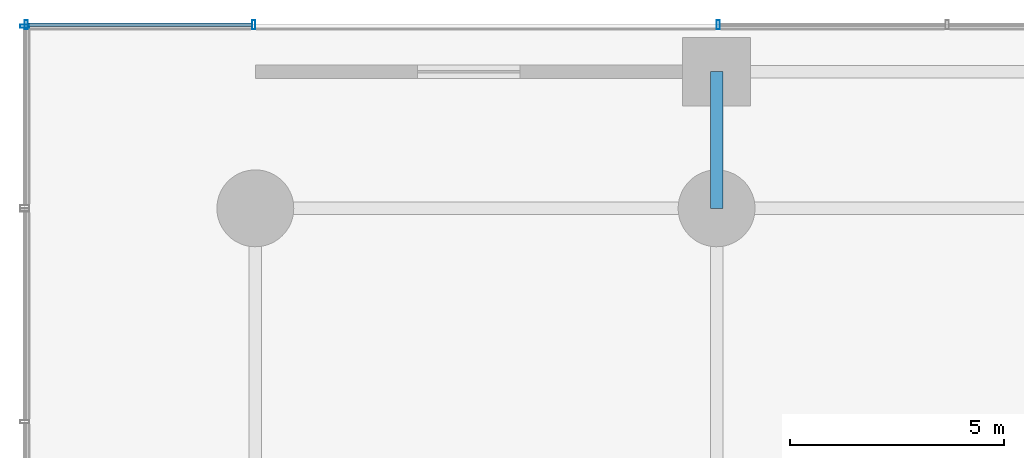
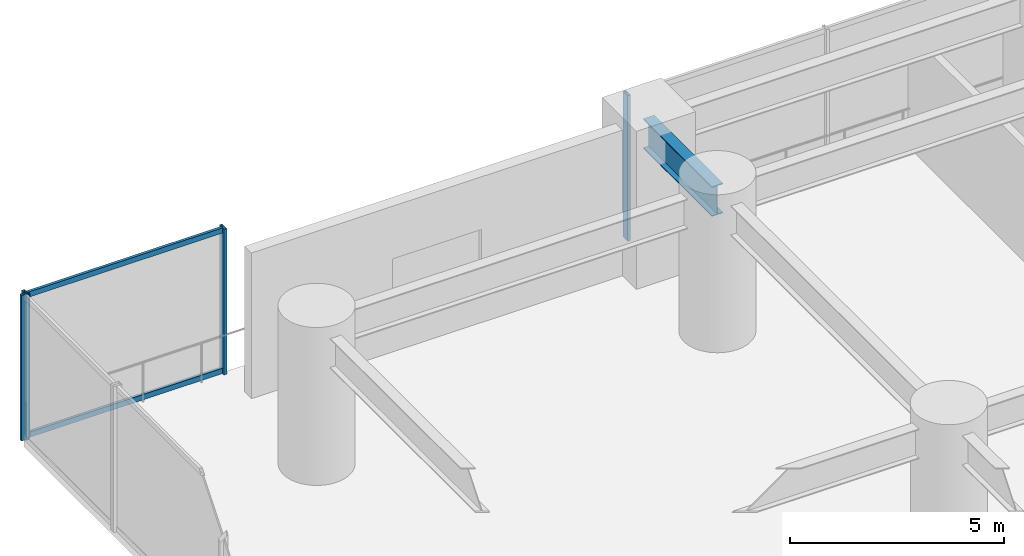
# One storey, part 14 of 35: 6 members, 1 beam, 3 elements without a shape of their own.
"""IFC4 building model written with IfcOpenShell, lengths in metres."""

from ifc_helpers import new_model, si_unit, direction, frame, origin, origin_2d, place, context, subcontext, project, spatial, hollow_rectangle, i_section, extrude, material, layer, layer_set, material_profile, profile_set, type_object, element, aggregate, save


model = new_model("IFC4")

# Units and contexts
model_context = context("Model", 3, precision=1e-05, world=origin(), true_north=direction((0.0, 1.0)))
body_context = subcontext(model_context, "Body", "Model", "MODEL_VIEW")
ifc_project = project(units=[si_unit("LENGTHUNIT", "METRE"), si_unit("AREAUNIT", "SQUARE_METRE"), si_unit("VOLUMEUNIT", "CUBIC_METRE"), si_unit("PLANEANGLEUNIT", "RADIAN"), si_unit("MASSUNIT", "GRAM", prefix="KILO")], contexts=[model_context])

# Site, building, storey
site_placement = place(None, origin())
site = spatial("IfcSite", under=ifc_project, at=site_placement, CompositionType="ELEMENT")
building_placement = place(site_placement, origin())
building = spatial("IfcBuilding", under=site, at=building_placement, Name="Surkhivell Harbour Commons", CompositionType="ELEMENT")
storey_placement = place(building_placement, frame((0.0, 0.0, 13.5)))
storey = spatial("IfcBuildingStorey", under=building, at=storey_placement, Name="L03", CompositionType="ELEMENT", Elevation=13.5)

# Beam
ifc_material_1 = material(Name="Steel S460", Category="steel")
ifc_material_profile_1 = material_profile(ifc_material_1, i_section(OverallWidth=0.2939453125, OverallDepth=0.85107421875, WebThickness=0.01611328125, FlangeThickness=0.02685546875, at=origin_2d()), Name="UB838x292x226")
ifc_profile_set_1 = profile_set([ifc_material_profile_1], Name="Steel S460")
beam_type = type_object("IfcBeamType", Name="BM-SPN-838", PredefinedType="SPANDREL", material=ifc_profile_set_1)
beam_placement = place(storey_placement, frame((-21.60009765625, 21.60009765625, 3.724609375), z_axis=(0.0, 1.0, 0.0), x_axis=(-1.0, 0.0, 0.0)))
element("IfcBeam", 1, at=beam_placement, inside=storey, type_object=beam_type, Name="L03 Framing Beam (-21.6,21.6)", PredefinedType="SPANDREL", context=body_context, shape_type="SweptSolid", body=[
    extrude(i_section(OverallWidth=0.2939453125, OverallDepth=0.85107421875, WebThickness=0.01611328125, FlangeThickness=0.02685546875, at=origin_2d()), origin(), (0.0, 0.0, 1.0), 3.199951171875),
])

# Curtain wall, members
ifc_material_2 = material(Name="Anodised pale-metal aluminium and insulated glazing", Category="aluminium")
ifc_layer = layer(ifc_material_2, 0.239990234375)
ifc_layer_set = layer_set([ifc_layer], Name="Anodised pale-metal aluminium and insulated glazing")
curtain_wall_type = type_object("IfcCurtainWallType", Name="CW-SYS-POD", PredefinedType="NOTDEFINED", material=ifc_layer_set)
curtain_wall_1_placement = place(storey_placement, origin())
curtain_wall_1 = element("IfcCurtainWall", 2, at=curtain_wall_1_placement, inside=storey, type_object=curtain_wall_type, Name="L03 Curtain Wall CW-L03-N1", PredefinedType="NOTDEFINED")
ifc_material_3 = material(Name="Anodised pale-metal aluminium alloy 6063-T6", Category="aluminium")
ifc_material_profile_2 = material_profile(ifc_material_3, hollow_rectangle(XDim=0.074951171875, YDim=0.219970703125, WallThickness=0.00390625, at=origin_2d()), Name="ALU-MULL-75x220")
ifc_profile_set_2 = profile_set([ifc_material_profile_2], Name="Anodised pale-metal aluminium alloy 6063-T6")
member_type_1 = type_object("IfcMemberType", Name="CWM-220", PredefinedType="MULLION", material=ifc_profile_set_2)
member_1_placement = place(storey_placement, frame((-37.762451171875, 25.89990234375, 0.0), z_axis=(0.0, 0.0, 1.0), x_axis=(1.0, 0.0, 0.0)))
member_1 = element("IfcMember", 3, at=member_1_placement, type_object=member_type_1, Name="CW-POD mullion 1", PredefinedType="MULLION", context=body_context, shape_type="SweptSolid", body=[
    extrude(hollow_rectangle(XDim=0.074951171875, YDim=0.219970703125, WallThickness=0.00390625, at=origin_2d()), origin(), (0.0, 0.0, 1.0), 4.14990234375),
])
member_2_placement = place(storey_placement, frame((-32.4375, 25.89990234375, 0.0), z_axis=(0.0, 0.0, 1.0), x_axis=(1.0, 0.0, 0.0)))
member_2 = element("IfcMember", 4, at=member_2_placement, type_object=member_type_1, Name="CW-POD mullion 2", PredefinedType="MULLION", context=body_context, shape_type="SweptSolid", body=[
    extrude(hollow_rectangle(XDim=0.074951171875, YDim=0.219970703125, WallThickness=0.00390625, at=origin_2d()), origin(), (0.0, 0.0, 1.0), 4.14990234375),
])

# Curtain wall, member
curtain_wall_2_placement = place(storey_placement, origin())
curtain_wall_2 = element("IfcCurtainWall", 5, at=curtain_wall_2_placement, inside=storey, type_object=curtain_wall_type, Name="L03 Curtain Wall CW-L03-N3", PredefinedType="NOTDEFINED")
member_3_placement = place(storey_placement, frame((-21.5625, 25.89990234375, 0.0), z_axis=(0.0, 0.0, 1.0), x_axis=(1.0, 0.0, 0.0)))
member_3 = element("IfcMember", 6, at=member_3_placement, type_object=member_type_1, Name="CW-POD mullion 1", PredefinedType="MULLION", context=body_context, shape_type="SweptSolid", body=[
    extrude(hollow_rectangle(XDim=0.074951171875, YDim=0.219970703125, WallThickness=0.00390625, at=origin_2d()), origin(), (0.0, 0.0, 1.0), 4.14990234375),
])
aggregate(curtain_wall_2, [member_3])

curtain_wall_3_placement = place(storey_placement, origin())
curtain_wall_3 = element("IfcCurtainWall", 7, at=curtain_wall_3_placement, inside=storey, type_object=curtain_wall_type, Name="L03 Curtain Wall CW-L03-W6", PredefinedType="NOTDEFINED")
member_4_placement = place(storey_placement, frame((-37.800048828125, 25.862548828125, 0.0), z_axis=(0.0, 0.0, 1.0), x_axis=(0.0, 1.0, 0.0)))
member_4 = element("IfcMember", 8, at=member_4_placement, type_object=member_type_1, Name="CW-POD mullion 2", PredefinedType="MULLION", context=body_context, shape_type="SweptSolid", body=[
    extrude(hollow_rectangle(XDim=0.074951171875, YDim=0.219970703125, WallThickness=0.00390625, at=origin_2d()), origin(), (0.0, 0.0, 1.0), 4.14990234375),
])
aggregate(curtain_wall_3, [member_4])

# Member
ifc_material_profile_3 = material_profile(ifc_material_3, hollow_rectangle(XDim=0.074951171875, YDim=0.14990234375, WallThickness=0.00341796875, at=origin_2d()), Name="ALU-TRAN-75x150")
ifc_profile_set_3 = profile_set([ifc_material_profile_3], Name="Anodised pale-metal aluminium alloy 6063-T6")
member_type_2 = type_object("IfcMemberType", Name="CWT-150", PredefinedType="USERDEFINED", material=ifc_profile_set_3)
member_5_placement = place(storey_placement, frame((-37.72509765625, 25.89990234375, 0.074951171875), z_axis=(1.0, 0.0, 0.0), x_axis=(0.0, 1.0, 0.0)))
member_5 = element("IfcMember", 9, at=member_5_placement, type_object=member_type_2, Name="CW-POD transom 1.1", ObjectType="TRANSOM", PredefinedType="USERDEFINED", context=body_context, shape_type="SweptSolid", body=[
    extrude(hollow_rectangle(XDim=0.074951171875, YDim=0.14990234375, WallThickness=0.00341796875, at=origin_2d()), origin(), (0.0, 0.0, 1.0), 5.25),
])

member_6_placement = place(storey_placement, frame((-37.72509765625, 25.89990234375, 4.074951171875), z_axis=(1.0, 0.0, 0.0), x_axis=(0.0, 1.0, 0.0)))
member_6 = element("IfcMember", 10, at=member_6_placement, type_object=member_type_2, Name="CW-POD transom 1.2", ObjectType="TRANSOM", PredefinedType="USERDEFINED", context=body_context, shape_type="SweptSolid", body=[
    extrude(hollow_rectangle(XDim=0.074951171875, YDim=0.14990234375, WallThickness=0.00341796875, at=origin_2d()), origin(), (0.0, 0.0, 1.0), 5.25),
])

aggregate(curtain_wall_1, [member_1, member_2, member_5, member_6])

save(model, "model.ifc")
